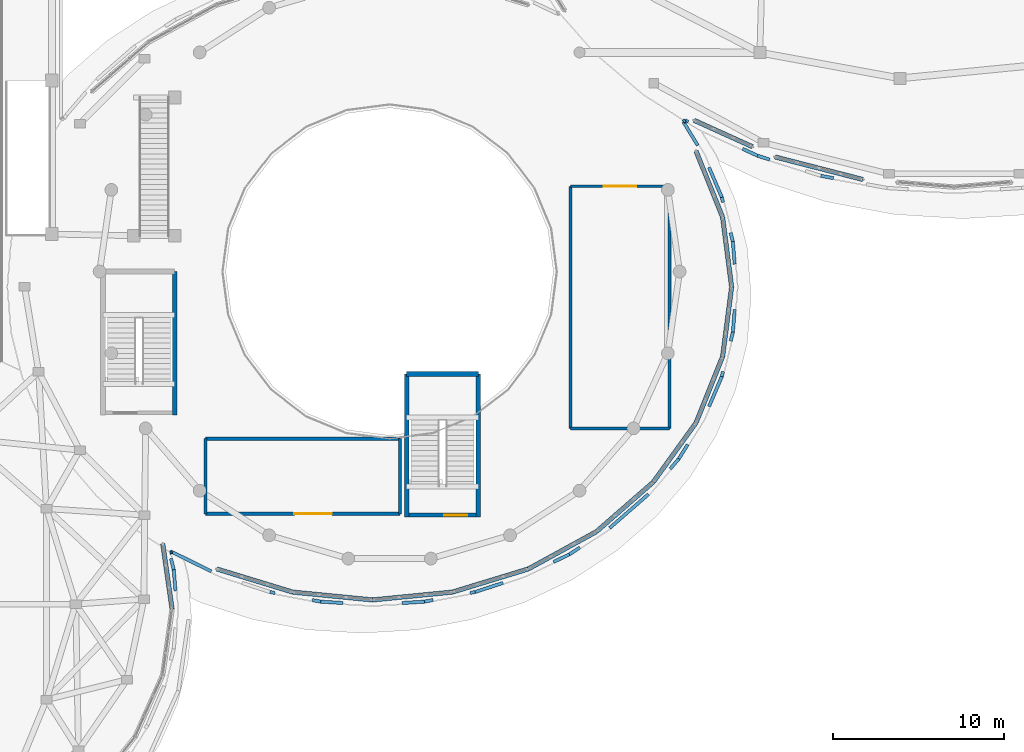
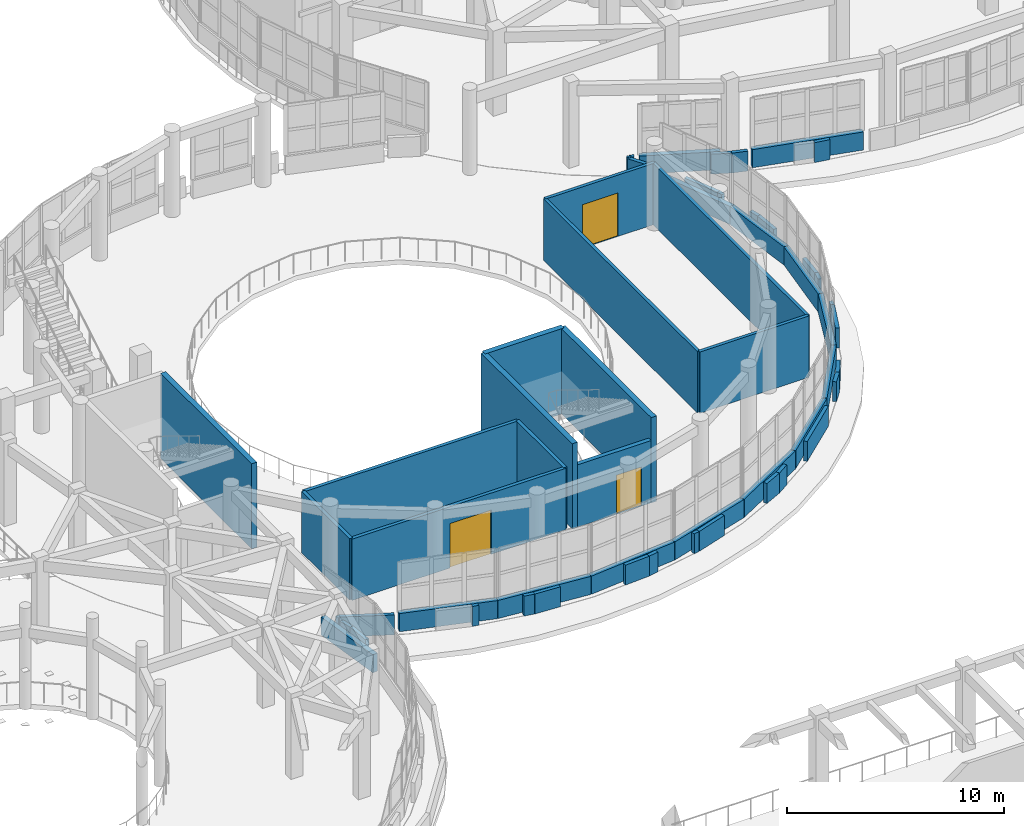
# One storey, part 73 of 98: 57 walls, 3 doors, 3 openings.
"""IFC4 building model written with IfcOpenShell, lengths in metres."""

from ifc_helpers import new_model, si_unit, direction, frame, frame_2d, origin, place, context, subcontext, project, spatial, rectangle, extrude, material, layer, layer_set, type_object, element, fill, save


model = new_model("IFC4")

# Units and contexts
model_context = context("Model", 3, precision=1e-05, world=origin(), true_north=direction((0.0, 1.0)))
body_context = subcontext(model_context, "Body", "Model", "MODEL_VIEW")
ifc_project = project(units=[si_unit("LENGTHUNIT", "METRE"), si_unit("AREAUNIT", "SQUARE_METRE"), si_unit("VOLUMEUNIT", "CUBIC_METRE"), si_unit("PLANEANGLEUNIT", "RADIAN"), si_unit("MASSUNIT", "GRAM", prefix="KILO")], contexts=[model_context])

# Site, building, storey
site_placement = place(None, origin())
site = spatial("IfcSite", under=ifc_project, at=site_placement, CompositionType="ELEMENT")
building_placement = place(site_placement, origin())
building = spatial("IfcBuilding", under=site, at=building_placement, Name="Pelvatis Terrace Science Centre", CompositionType="ELEMENT")
storey_placement = place(building_placement, frame((0.0, 0.0, 5.39990234375)))
storey = spatial("IfcBuildingStorey", under=building, at=storey_placement, Name="L01", CompositionType="ELEMENT", Elevation=5.39990234375)

# Walls
ifc_material_1 = material(Name="White architectural precast concrete C40/50 spandrel", Category="concrete")
ifc_layer_1 = layer(ifc_material_1, 0.260009765625)
ifc_layer_set_1 = layer_set([ifc_layer_1], Name="White architectural precast concrete C40/50 spandrel")
wall_type_1 = type_object("IfcWallType", Name="WL-EXT-SPND-260", PredefinedType="SOLIDWALL", material=ifc_layer_set_1)
wall_1_placement = place(storey_placement, frame((65.25, 34.800048828125, 0.0), z_axis=(0.0, 0.0, 1.0), x_axis=(-0.141139449152, 0.989989725145, 0.0)))
element("IfcWall", 1, at=wall_1_placement, inside=storey, type_object=wall_type_1, Name="V3 white spiral spandrel band 01 (L01)", PredefinedType="SOLIDWALL", context=body_context, shape_type="SweptSolid", body=[
    extrude(rectangle(XDim=3.8798828125, YDim=0.260009765625, at=frame_2d((1.93994140625, 0.0))), origin(), (0.0, 0.0, 1.0), 1.02001953125),
])
wall_2_placement = place(storey_placement, frame((98.050048828125, 53.699951171875, 0.0), z_axis=(0.0, 0.0, 1.0), x_axis=(-0.128200876257, 0.991748221741, 0.0)))
element("IfcWall", 2, at=wall_2_placement, inside=storey, type_object=wall_type_1, Name="V2 white spiral spandrel band 01 (L01)", PredefinedType="SOLIDWALL", context=body_context, shape_type="SweptSolid", body=[
    extrude(rectangle(XDim=4.1171875, YDim=0.260009765625, at=frame_2d((2.05859375, 0.0))), origin(), (0.0, 0.0, 1.0), 1.02001953125),
])
wall_3_placement = place(storey_placement, frame((97.522216796875, 57.783203125, 0.0), z_axis=(0.0, 0.0, 1.0), x_axis=(-0.372508337029, 0.928028845912, 0.0)))
element("IfcWall", 3, at=wall_3_placement, inside=storey, type_object=wall_type_1, Name="V2 white spiral spandrel band 02 (L01)", PredefinedType="SOLIDWALL", context=body_context, shape_type="SweptSolid", body=[
    extrude(rectangle(XDim=4.179443359375, YDim=0.260009765625, at=frame_2d((2.08984375, 0.0))), origin(), (0.0, 0.0, 1.0), 1.02001953125),
])
wall_4_placement = place(storey_placement, frame((67.86669921875, 37.167236328125, 0.0), z_axis=(0.0, 0.0, 1.0), x_axis=(0.956489991881, -0.291765137449, 0.0)))
element("IfcWall", 4, at=wall_4_placement, inside=storey, type_object=wall_type_1, Name="V2 white spiral spandrel band 20 (L01)", PredefinedType="SOLIDWALL", context=body_context, shape_type="SweptSolid", body=[
    extrude(rectangle(XDim=4.651611328125, YDim=0.260009765625, at=frame_2d((2.32568359375, 0.0))), origin(), (0.0, 0.0, 1.0), 1.02001953125),
])
for number, where, z_axis, x_axis, name in (
    (5, (72.31591796875, 35.81005859375, 0.0), (0.0, 0.0, 1.0), (0.99521330308, -0.097726564318, 0.0), "V2 white spiral spandrel band 21 (L01)"),
    (6, (77.0, 35.35009765625, 0.0), (0.0, 0.0, 1.0), (0.99521330308, 0.097726564318, 0.0), "V2 white spiral spandrel band 22 (L01)"),
):
    element("IfcWall", number, at=place(storey_placement, frame(where, z_axis=z_axis, x_axis=x_axis)), inside=storey, type_object=wall_type_1, Name=name, PredefinedType="SOLIDWALL", context=body_context, shape_type="SweptSolid", body=[
        extrude(rectangle(XDim=4.70654296875, YDim=0.260009765625, at=frame_2d((2.353271484375, 0.0))), origin(), (0.0, 0.0, 1.0), 1.02001953125),
    ])
wall_5_placement = place(storey_placement, frame((81.68408203125, 35.81005859375, 0.0), z_axis=(0.0, 0.0, 1.0), x_axis=(0.956489991881, 0.291765137449, 0.0)))
element("IfcWall", 7, at=wall_5_placement, inside=storey, type_object=wall_type_1, Name="V2 white spiral spandrel band 23 (L01)", PredefinedType="SOLIDWALL", context=body_context, shape_type="SweptSolid", body=[
    extrude(rectangle(XDim=4.651611328125, YDim=0.260009765625, at=frame_2d((2.32568359375, 0.0))), origin(), (0.0, 0.0, 1.0), 1.02001953125),
])
wall_6_placement = place(storey_placement, frame((86.13330078125, 37.167236328125, 0.0), z_axis=(0.0, 0.0, 1.0), x_axis=(0.877039221063, 0.480418780562, 0.0)))
element("IfcWall", 8, at=wall_6_placement, inside=storey, type_object=wall_type_1, Name="V2 white spiral spandrel band 24 (L01)", PredefinedType="SOLIDWALL", context=body_context, shape_type="SweptSolid", body=[
    extrude(rectangle(XDim=4.55078125, YDim=0.260009765625, at=frame_2d((2.275390625, 0.0))), origin(), (0.0, 0.0, 1.0), 1.02001953125),
])
wall_7_placement = place(storey_placement, frame((90.12451171875, 39.353515625, 0.0), z_axis=(0.0, 0.0, 1.0), x_axis=(0.75379306643, 0.657111872516, 0.0)))
element("IfcWall", 9, at=wall_7_placement, inside=storey, type_object=wall_type_1, Name="V2 white spiral spandrel band 25 (L01)", PredefinedType="SOLIDWALL", context=body_context, shape_type="SweptSolid", body=[
    extrude(rectangle(XDim=4.421630859375, YDim=0.260009765625, at=frame_2d((2.2109375, 0.0))), origin(), (0.0, 0.0, 1.0), 1.02001953125),
])
wall_8_placement = place(storey_placement, frame((93.45751953125, 42.259033203125, 0.0), z_axis=(0.0, 0.0, 1.0), x_axis=(0.584727530692, 0.811229754663, 0.0)))
element("IfcWall", 10, at=wall_8_placement, inside=storey, type_object=wall_type_1, Name="V2 white spiral spandrel band 26 (L01)", PredefinedType="SOLIDWALL", context=body_context, shape_type="SweptSolid", body=[
    extrude(rectangle(XDim=4.288818359375, YDim=0.260009765625, at=frame_2d((2.14453125, 0.0))), origin(), (0.0, 0.0, 1.0), 1.02001953125),
])
wall_9_placement = place(storey_placement, frame((95.96533203125, 45.73828125, 0.0), z_axis=(0.0, 0.0, 1.0), x_axis=(0.372528531789, 0.928020739533, 0.0)))
element("IfcWall", 11, at=wall_9_placement, inside=storey, type_object=wall_type_1, Name="V2 white spiral spandrel band 27 (L01)", PredefinedType="SOLIDWALL", context=body_context, shape_type="SweptSolid", body=[
    extrude(rectangle(XDim=4.17919921875, YDim=0.260009765625, at=frame_2d((2.089599609375, 0.0))), origin(), (0.0, 0.0, 1.0), 1.02001953125),
])
wall_10_placement = place(storey_placement, frame((97.522216796875, 49.61669921875, 0.0), z_axis=(0.0, 0.0, 1.0), x_axis=(0.128200876257, 0.991748221741, 0.0)))
element("IfcWall", 12, at=wall_10_placement, inside=storey, type_object=wall_type_1, Name="V2 white spiral spandrel band 28 (L01)", PredefinedType="SOLIDWALL", context=body_context, shape_type="SweptSolid", body=[
    extrude(rectangle(XDim=4.1171875, YDim=0.260009765625, at=frame_2d((2.05859375, 0.0))), origin(), (0.0, 0.0, 1.0), 1.02001953125),
])
wall_11_placement = place(storey_placement, frame((95.849609375, 63.46826171875, 0.0), z_axis=(0.0, 0.0, 1.0), x_axis=(0.910988741799, -0.412431221314, 0.0)))
element("IfcWall", 13, at=wall_11_placement, inside=storey, type_object=wall_type_1, Name="V1 white spiral spandrel band 22 (L01)", PredefinedType="SOLIDWALL", context=body_context, shape_type="SweptSolid", body=[
    extrude(rectangle(XDim=3.755859375, YDim=0.260009765625, at=frame_2d((1.8779296875, 0.0))), origin(), (0.0, 0.0, 1.0), 1.02001953125),
])
wall_12_placement = place(storey_placement, frame((100.59521484375, 61.31982421875, 0.0), z_axis=(0.0, 0.0, 1.0), x_axis=(0.968536268756, -0.248872449469, 0.0)))
element("IfcWall", 14, at=wall_12_placement, inside=storey, type_object=wall_type_1, Name="V1 white spiral spandrel band 23 (L01)", PredefinedType="SOLIDWALL", context=body_context, shape_type="SweptSolid", body=[
    extrude(rectangle(XDim=5.31689453125, YDim=0.260009765625, at=frame_2d((2.658447265625, 0.0))), origin(), (0.0, 0.0, 1.0), 1.02001953125),
])

# Wall, opening, door
ifc_material_2 = material(Name="Concrete C35/45 stair enclosure wall", Category="concrete")
ifc_layer_2 = layer(ifc_material_2, 0.22509765625)
ifc_layer_set_2 = layer_set([ifc_layer_2], Name="Concrete C35/45 stair enclosure wall")
wall_type_2 = type_object("IfcWallType", Name="WL-INT-CORE-225", PredefinedType="PARTITIONING", material=ifc_layer_set_2)
wall_13_placement = place(storey_placement, frame((79.139892578125, 40.320068359375, 0.0), z_axis=(0.0, 0.0, 1.0), x_axis=(1.0, 0.0, 0.0)))
wall_13 = element("IfcWall", 15, at=wall_13_placement, inside=storey, type_object=wall_type_2, Name="Stair ST-06 shaft wall S (L01)", PredefinedType="PARTITIONING", context=body_context, shape_type="SweptSolid", body=[
    extrude(rectangle(XDim=3.920166015625, YDim=0.22509765625, at=frame_2d((1.9599609375, 0.0))), origin(), (0.0, 0.0, 1.0), 3.510009765625),
])
opening_1_placement = place(wall_13_placement, frame((2.070068359375, 0.0, 0.0)))
opening_1 = element("IfcOpeningElement", 16, at=opening_1_placement, cuts=wall_13, Name="Opening D-155", PredefinedType="OPENING", context=body_context, shape_type="SweptSolid", body=[
    extrude(rectangle(XDim=1.35009765625, YDim=2.199951171875, at=frame_2d((0.675048828125, 1.10009765625))), frame((0.0, 0.12255859375, 0.0), z_axis=(0.0, -1.0, 0.0), x_axis=(1.0, 0.0, 0.0)), (0.0, 0.0, 1.0), 0.2451171875),
])
ifc_material_3 = material(Name="Steel fire-rated protected stair door", Category="steel")
door_type_1 = type_object("IfcDoorType", Name="DR-STAIR-1350x2200", OperationType="NOTDEFINED", PredefinedType="DOOR", material=ifc_material_3)
door_1_placement = place(opening_1_placement, origin())
door_1 = element("IfcDoor", 17, at=door_1_placement, inside=storey, type_object=door_type_1, Name="Stair ST-06 fire door (L01)", OperationType="SINGLE_SWING_RIGHT", OverallHeight=2.199951171875, OverallWidth=1.35009765625, PredefinedType="DOOR", context=body_context, shape_type="SweptSolid", body=[
    extrude(rectangle(XDim=1.35009765625, YDim=2.199951171875, at=frame_2d((0.675048828125, 1.10009765625))), frame((0.0, 0.02490234375, 0.0), z_axis=(0.0, -1.0, 0.0), x_axis=(1.0, 0.0, 0.0)), (0.0, 0.0, 1.0), 0.050048828125),
])
fill(opening_1, door_1)

# Walls
ifc_material_4 = material(Name="Gallery acoustic wall", Category="masonry")
ifc_layer_3 = layer(ifc_material_4, 0.169921875)
ifc_layer_set_3 = layer_set([ifc_layer_3], Name="Gallery acoustic wall")
wall_type_3 = type_object("IfcWallType", Name="WL-INT-GAL-170", PredefinedType="PARTITIONING", material=ifc_layer_set_3)
wall_14_placement = place(storey_placement, frame((88.60009765625, 45.39990234375, 0.0), z_axis=(0.0, 0.0, 1.0), x_axis=(1.0, 0.0, 0.0)))
element("IfcWall", 18, at=wall_14_placement, inside=storey, type_object=wall_type_3, Name="South Atlantic Coastal Ecology Gallery partition wall S", PredefinedType="PARTITIONING", context=body_context, shape_type="SweptSolid", body=[
    extrude(rectangle(XDim=5.7998046875, YDim=0.169921875, at=frame_2d((2.89990234375, 0.0))), origin(), (0.0, 0.0, 1.0), 3.4501953125),
])
wall_15_placement = place(storey_placement, frame((94.39990234375, 45.39990234375, 0.0), z_axis=(0.0, 0.0, 1.0), x_axis=(0.0, 1.0, 0.0)))
element("IfcWall", 19, at=wall_15_placement, inside=storey, type_object=wall_type_3, Name="South Atlantic Coastal Ecology Gallery partition wall E", PredefinedType="PARTITIONING", context=body_context, shape_type="SweptSolid", body=[
    extrude(rectangle(XDim=14.2001953125, YDim=0.169921875, at=frame_2d((7.10009765625, 0.0))), origin(), (0.0, 0.0, 1.0), 3.4501953125),
])

# Wall, opening, door
wall_16_placement = place(storey_placement, frame((94.39990234375, 59.60009765625, 0.0), z_axis=(0.0, 0.0, 1.0), x_axis=(-1.0, 0.0, 0.0)))
wall_16 = element("IfcWall", 20, at=wall_16_placement, inside=storey, type_object=wall_type_3, Name="South Atlantic Coastal Ecology Gallery partition wall N", PredefinedType="PARTITIONING", context=body_context, shape_type="SweptSolid", body=[
    extrude(rectangle(XDim=5.7998046875, YDim=0.169921875, at=frame_2d((2.89990234375, 0.0))), origin(), (0.0, 0.0, 1.0), 3.4501953125),
])
opening_2_placement = place(wall_16_placement, frame((1.949951171875, 0.0, 0.0)))
opening_2 = element("IfcOpeningElement", 21, at=opening_2_placement, cuts=wall_16, Name="Opening D-192", PredefinedType="OPENING", context=body_context, shape_type="SweptSolid", body=[
    extrude(rectangle(XDim=1.89990234375, YDim=2.449951171875, at=frame_2d((0.949951171875, 1.22509765625))), frame((0.0, 0.094970703125, 0.0), z_axis=(0.0, -1.0, 0.0), x_axis=(1.0, 0.0, 0.0)), (0.0, 0.0, 1.0), 0.18994140625),
])
ifc_material_5 = material(Name="Acoustic glazed gallery double door", Category="glass")
door_type_2 = type_object("IfcDoorType", Name="DR-GAL-1900x2450", OperationType="NOTDEFINED", PredefinedType="DOOR", material=ifc_material_5)
door_2_placement = place(opening_2_placement, origin())
door_2 = element("IfcDoor", 22, at=door_2_placement, inside=storey, type_object=door_type_2, Name="South Atlantic Coastal Ecology Gallery entrance door", OperationType="DOUBLE_DOOR_SINGLE_SWING", OverallHeight=2.449951171875, OverallWidth=1.89990234375, PredefinedType="DOOR", context=body_context, shape_type="SweptSolid", body=[
    extrude(rectangle(XDim=1.89990234375, YDim=2.449951171875, at=frame_2d((0.949951171875, 1.22509765625))), frame((0.0, 0.02490234375, 0.0), z_axis=(0.0, -1.0, 0.0), x_axis=(1.0, 0.0, 0.0)), (0.0, 0.0, 1.0), 0.050048828125),
])
fill(opening_2, door_2)

# Wall
wall_17_placement = place(storey_placement, frame((88.60009765625, 59.60009765625, 0.0), z_axis=(0.0, 0.0, 1.0), x_axis=(0.0, -1.0, 0.0)))
element("IfcWall", 23, at=wall_17_placement, inside=storey, type_object=wall_type_3, Name="South Atlantic Coastal Ecology Gallery partition wall W", PredefinedType="PARTITIONING", context=body_context, shape_type="SweptSolid", body=[
    extrude(rectangle(XDim=14.2001953125, YDim=0.169921875, at=frame_2d((7.10009765625, 0.0))), origin(), (0.0, 0.0, 1.0), 3.4501953125),
])

# Wall, opening, door
ifc_material_6 = material(Name="Gallery display masonry liner", Category="masonry")
ifc_layer_4 = layer(ifc_material_6, 0.181884765625)
ifc_layer_set_4 = layer_set([ifc_layer_4], Name="Gallery display masonry liner")
wall_type_4 = type_object("IfcWallType", Name="WL-INT-GAL-182", PredefinedType="PARTITIONING", material=ifc_layer_set_4)
wall_18_placement = place(storey_placement, frame((67.199951171875, 40.39990234375, 0.0), z_axis=(0.0, 0.0, 1.0), x_axis=(1.0, 0.0, 0.0)))
wall_18 = element("IfcWall", 24, at=wall_18_placement, inside=storey, type_object=wall_type_4, Name="Earth Systems, Geology and Ocean Currents Exhibition Hall partition wall S", PredefinedType="PARTITIONING", context=body_context, shape_type="SweptSolid", body=[
    extrude(rectangle(XDim=11.400146484375, YDim=0.181884765625, at=frame_2d((5.7001953125, 0.0))), origin(), (0.0, 0.0, 1.0), 3.4501953125),
])
opening_3_placement = place(wall_18_placement, frame((5.215087890625, 0.0, 0.0)))
opening_3 = element("IfcOpeningElement", 25, at=opening_3_placement, cuts=wall_18, Name="Opening D-191", PredefinedType="OPENING", context=body_context, shape_type="SweptSolid", body=[
    extrude(rectangle(XDim=2.199951171875, YDim=2.5, at=frame_2d((1.10009765625, 1.25))), frame((0.0, 0.100830078125, 0.0), z_axis=(0.0, -1.0, 0.0), x_axis=(1.0, 0.0, 0.0)), (0.0, 0.0, 1.0), 0.201904296875),
])
ifc_material_7 = material(Name="Acoustic bronze-and-glass exhibition hall double door", Category="glass")
door_type_3 = type_object("IfcDoorType", Name="DR-GAL-2200x2500", OperationType="NOTDEFINED", PredefinedType="DOOR", material=ifc_material_7)
door_3_placement = place(opening_3_placement, origin())
door_3 = element("IfcDoor", 26, at=door_3_placement, inside=storey, type_object=door_type_3, Name="Earth Systems, Geology and Ocean Currents Exhibition Hall entrance door", OperationType="DOUBLE_DOOR_SINGLE_SWING", OverallHeight=2.5, OverallWidth=2.199951171875, PredefinedType="DOOR", context=body_context, shape_type="SweptSolid", body=[
    extrude(rectangle(XDim=2.199951171875, YDim=2.5, at=frame_2d((1.10009765625, 1.25))), frame((0.0, 0.02490234375, 0.0), z_axis=(0.0, -1.0, 0.0), x_axis=(1.0, 0.0, 0.0)), (0.0, 0.0, 1.0), 0.050048828125),
])
fill(opening_3, door_3)

# Walls
wall_19_placement = place(storey_placement, frame((78.60009765625, 40.39990234375, 0.0), z_axis=(0.0, 0.0, 1.0), x_axis=(0.0, 1.0, 0.0)))
element("IfcWall", 27, at=wall_19_placement, inside=storey, type_object=wall_type_4, Name="Earth Systems, Geology and Ocean Currents Exhibition Hall partition wall E", PredefinedType="PARTITIONING", context=body_context, shape_type="SweptSolid", body=[
    extrude(rectangle(XDim=4.400146484375, YDim=0.181884765625, at=frame_2d((2.2001953125, 0.0))), origin(), (0.0, 0.0, 1.0), 3.4501953125),
])
wall_20_placement = place(storey_placement, frame((78.60009765625, 44.800048828125, 0.0), z_axis=(0.0, 0.0, 1.0), x_axis=(-1.0, 0.0, 0.0)))
element("IfcWall", 28, at=wall_20_placement, inside=storey, type_object=wall_type_4, Name="Earth Systems, Geology and Ocean Currents Exhibition Hall partition wall N", PredefinedType="PARTITIONING", context=body_context, shape_type="SweptSolid", body=[
    extrude(rectangle(XDim=11.400146484375, YDim=0.181884765625, at=frame_2d((5.7001953125, 0.0))), origin(), (0.0, 0.0, 1.0), 3.4501953125),
])
wall_21_placement = place(storey_placement, frame((67.199951171875, 44.800048828125, 0.0), z_axis=(0.0, 0.0, 1.0), x_axis=(0.0, -1.0, 0.0)))
element("IfcWall", 29, at=wall_21_placement, inside=storey, type_object=wall_type_4, Name="Earth Systems, Geology and Ocean Currents Exhibition Hall partition wall W", PredefinedType="PARTITIONING", context=body_context, shape_type="SweptSolid", body=[
    extrude(rectangle(XDim=4.400146484375, YDim=0.181884765625, at=frame_2d((2.2001953125, 0.0))), origin(), (0.0, 0.0, 1.0), 3.4501953125),
])
ifc_material_8 = material(Name="White architectural precast concrete C40/50 spandrel parapet", Category="concrete")
ifc_layer_5 = layer(ifc_material_8, 0.18994140625)
ifc_layer_set_5 = layer_set([ifc_layer_5], Name="White architectural precast concrete C40/50 spandrel parapet")
wall_type_5 = type_object("IfcWallType", Name="WL-PAR-190", PredefinedType="PARAPET", material=ifc_layer_set_5)
wall_22_placement = place(storey_placement, frame((104.025634765625, 60.0771484375, 0.0), z_axis=(0.0, 0.0, 1.0), x_axis=(-0.983380405717, 0.181557091989, 0.0)))
element("IfcWall", 30, at=wall_22_placement, inside=storey, type_object=wall_type_5, Name="Perimeter edge closure parapet PW-EDG-L01-164", PredefinedType="PARAPET", context=body_context, shape_type="SweptSolid", body=[
    extrude(rectangle(XDim=0.755615234375, YDim=0.18994140625, at=frame_2d((0.3779296875, 0.0))), origin(), (0.0, 0.0, 1.0), 1.1201171875),
])
wall_23_placement = place(storey_placement, frame((100.281982421875, 61.164306640625, 0.0), z_axis=(0.0, 0.0, 1.0), x_axis=(-0.953369001668, 0.301807134872, 0.0)))
element("IfcWall", 31, at=wall_23_placement, inside=storey, type_object=wall_type_5, Name="Perimeter edge closure parapet PW-EDG-L01-166", PredefinedType="PARAPET", context=body_context, shape_type="SweptSolid", body=[
    extrude(rectangle(XDim=0.743408203125, YDim=0.18994140625, at=frame_2d((0.37158203125, 0.0))), origin(), (0.0, 0.0, 1.0), 1.1201171875),
])
wall_24_placement = place(storey_placement, frame((99.5732421875, 61.388671875, 0.0), z_axis=(0.0, 0.0, 1.0), x_axis=(-0.907268626337, 0.420551589777, 0.0)))
element("IfcWall", 32, at=wall_24_placement, inside=storey, type_object=wall_type_5, Name="Perimeter edge closure parapet PW-EDG-L01-167", PredefinedType="PARAPET", context=body_context, shape_type="SweptSolid", body=[
    extrude(rectangle(XDim=0.97412109375, YDim=0.18994140625, at=frame_2d((0.487060546875, 0.0))), origin(), (0.0, 0.0, 1.0), 1.1201171875),
])
wall_25_placement = place(storey_placement, frame((95.513671875, 63.37109375, 0.0), z_axis=(0.0, 0.0, 1.0), x_axis=(-0.880327021675, 0.474367299578, 0.0)))
element("IfcWall", 33, at=wall_25_placement, inside=storey, type_object=wall_type_5, Name="Perimeter edge closure parapet PW-EDG-L01-168", PredefinedType="PARAPET", context=body_context, shape_type="SweptSolid", body=[
    extrude(rectangle(XDim=0.2177734375, YDim=0.18994140625, at=frame_2d((0.10888671875, 0.0))), origin(), (0.0, 0.0, 1.0), 1.1201171875),
])
wall_26_placement = place(storey_placement, frame((95.322021484375, 63.474365234375, 0.0), z_axis=(0.0, 0.0, 1.0), x_axis=(-0.710572928176, -0.703623559685, 0.0)))
element("IfcWall", 34, at=wall_26_placement, inside=storey, type_object=wall_type_5, Name="Perimeter edge closure parapet PW-EDG-L01-169", PredefinedType="PARAPET", context=body_context, shape_type="SweptSolid", body=[
    extrude(rectangle(XDim=0.140625, YDim=0.18994140625, at=frame_2d((0.0703125, 0.0))), origin(), (0.0, 0.0, 1.0), 1.1201171875),
])
wall_27_placement = place(storey_placement, frame((95.22216796875, 63.37548828125, 0.0), z_axis=(0.0, 0.0, 1.0), x_axis=(0.521633367431, -0.853169754494, 0.0)))
element("IfcWall", 35, at=wall_27_placement, inside=storey, type_object=wall_type_5, Name="Perimeter edge closure parapet PW-EDG-L01-170", PredefinedType="PARAPET", context=body_context, shape_type="SweptSolid", body=[
    extrude(rectangle(XDim=1.61572265625, YDim=0.18994140625, at=frame_2d((0.807861328125, 0.0))), origin(), (0.0, 0.0, 1.0), 1.1201171875),
])
wall_28_placement = place(storey_placement, frame((96.7255859375, 60.707275390625, 0.0), z_axis=(0.0, 0.0, 1.0), x_axis=(0.392608676014, -0.919705620032, 0.0)))
element("IfcWall", 36, at=wall_28_placement, inside=storey, type_object=wall_type_5, Name="Perimeter edge closure parapet PW-EDG-L01-171", PredefinedType="PARAPET", context=body_context, shape_type="SweptSolid", body=[
    extrude(rectangle(XDim=1.91162109375, YDim=0.18994140625, at=frame_2d((0.955810546875, 0.0))), origin(), (0.0, 0.0, 1.0), 1.1201171875),
])
wall_29_placement = place(storey_placement, frame((97.47607421875, 58.94921875, 0.0), z_axis=(0.0, 0.0, 1.0), x_axis=(0.241584948126, -0.97037967458, 0.0)))
element("IfcWall", 37, at=wall_29_placement, inside=storey, type_object=wall_type_5, Name="Perimeter edge closure parapet PW-EDG-L01-172", PredefinedType="PARAPET", context=body_context, shape_type="SweptSolid", body=[
    extrude(rectangle(XDim=0.30224609375, YDim=0.18994140625, at=frame_2d((0.151123046875, 0.0))), origin(), (0.0, 0.0, 1.0), 1.1201171875),
])
wall_30_placement = place(storey_placement, frame((97.99267578125, 56.87451171875, 0.0), z_axis=(0.0, 0.0, 1.0), x_axis=(0.241469505752, -0.970408407729, 0.0)))
element("IfcWall", 38, at=wall_30_placement, inside=storey, type_object=wall_type_5, Name="Perimeter edge closure parapet PW-EDG-L01-173", PredefinedType="PARAPET", context=body_context, shape_type="SweptSolid", body=[
    extrude(rectangle(XDim=0.538818359375, YDim=0.18994140625, at=frame_2d((0.26953125, 0.0))), origin(), (0.0, 0.0, 1.0), 1.1201171875),
])
wall_31_placement = place(storey_placement, frame((98.122802734375, 56.3515625, 0.0), z_axis=(0.0, 0.0, 1.0), x_axis=(0.081627228303, -0.996662929781, 0.0)))
element("IfcWall", 39, at=wall_31_placement, inside=storey, type_object=wall_type_5, Name="Perimeter edge closure parapet PW-EDG-L01-174", PredefinedType="PARAPET", context=body_context, shape_type="SweptSolid", body=[
    extrude(rectangle(XDim=1.324951171875, YDim=0.18994140625, at=frame_2d((0.66259765625, 0.0))), origin(), (0.0, 0.0, 1.0), 1.1201171875),
])
wall_32_placement = place(storey_placement, frame((98.23095703125, 52.368896484375, 0.0), z_axis=(0.0, 0.0, 1.0), x_axis=(-0.081642221498, -0.996661701717, 0.0)))
element("IfcWall", 40, at=wall_32_placement, inside=storey, type_object=wall_type_5, Name="Perimeter edge closure parapet PW-EDG-L01-175", PredefinedType="PARAPET", context=body_context, shape_type="SweptSolid", body=[
    extrude(rectangle(XDim=1.32470703125, YDim=0.18994140625, at=frame_2d((0.662353515625, 0.0))), origin(), (0.0, 0.0, 1.0), 1.1201171875),
])
wall_33_placement = place(storey_placement, frame((98.122802734375, 51.048583984375, 0.0), z_axis=(0.0, 0.0, 1.0), x_axis=(-0.241363393154, -0.970434805871, 0.0)))
element("IfcWall", 41, at=wall_33_placement, inside=storey, type_object=wall_type_5, Name="Perimeter edge closure parapet PW-EDG-L01-176", PredefinedType="PARAPET", context=body_context, shape_type="SweptSolid", body=[
    extrude(rectangle(XDim=0.5390625, YDim=0.18994140625, at=frame_2d((0.26953125, 0.0))), origin(), (0.0, 0.0, 1.0), 1.1201171875),
])
wall_34_placement = place(storey_placement, frame((97.549072265625, 48.743896484375, 0.0), z_axis=(0.0, 0.0, 1.0), x_axis=(-0.241584948126, -0.97037967458, 0.0)))
element("IfcWall", 42, at=wall_34_placement, inside=storey, type_object=wall_type_5, Name="Perimeter edge closure parapet PW-EDG-L01-177", PredefinedType="PARAPET", context=body_context, shape_type="SweptSolid", body=[
    extrude(rectangle(XDim=0.30224609375, YDim=0.18994140625, at=frame_2d((0.151123046875, 0.0))), origin(), (0.0, 0.0, 1.0), 1.1201171875),
])
wall_35_placement = place(storey_placement, frame((97.47607421875, 48.45068359375, 0.0), z_axis=(0.0, 0.0, 1.0), x_axis=(-0.392608676014, -0.919705620032, 0.0)))
element("IfcWall", 43, at=wall_35_placement, inside=storey, type_object=wall_type_5, Name="Perimeter edge closure parapet PW-EDG-L01-178", PredefinedType="PARAPET", context=body_context, shape_type="SweptSolid", body=[
    extrude(rectangle(XDim=1.91162109375, YDim=0.18994140625, at=frame_2d((0.955810546875, 0.0))), origin(), (0.0, 0.0, 1.0), 1.1201171875),
])
wall_36_placement = place(storey_placement, frame((95.476806640625, 44.4619140625, 0.0), z_axis=(0.0, 0.0, 1.0), x_axis=(-0.529776396754, -0.848137352934, 0.0)))
element("IfcWall", 44, at=wall_36_placement, inside=storey, type_object=wall_type_5, Name="Perimeter edge closure parapet PW-EDG-L01-179", PredefinedType="PARAPET", context=body_context, shape_type="SweptSolid", body=[
    extrude(rectangle(XDim=0.986083984375, YDim=0.18994140625, at=frame_2d((0.4931640625, 0.0))), origin(), (0.0, 0.0, 1.0), 1.1201171875),
])
wall_37_placement = place(storey_placement, frame((94.954345703125, 43.62548828125, 0.0), z_axis=(0.0, 0.0, 1.0), x_axis=(-0.650661996725, -0.759367477588, 0.0)))
element("IfcWall", 45, at=wall_37_placement, inside=storey, type_object=wall_type_5, Name="Perimeter edge closure parapet PW-EDG-L01-180", PredefinedType="PARAPET", context=body_context, shape_type="SweptSolid", body=[
    extrude(rectangle(XDim=0.777099609375, YDim=0.18994140625, at=frame_2d((0.388671875, 0.0))), origin(), (0.0, 0.0, 1.0), 1.1201171875),
])
wall_38_placement = place(storey_placement, frame((93.173828125, 41.54736328125, 0.0), z_axis=(0.0, 0.0, 1.0), x_axis=(-0.75376246126, -0.65714697899, 0.0)))
element("IfcWall", 46, at=wall_38_placement, inside=storey, type_object=wall_type_5, Name="Perimeter edge closure parapet PW-EDG-L01-181", PredefinedType="PARAPET", context=body_context, shape_type="SweptSolid", body=[
    extrude(rectangle(XDim=3.019775390625, YDim=0.18994140625, at=frame_2d((1.509765625, 0.0))), origin(), (0.0, 0.0, 1.0), 1.1201171875),
])
wall_39_placement = place(storey_placement, frame((89.15625, 38.423828125, 0.0), z_axis=(0.0, 0.0, 1.0), x_axis=(-0.836917016948, -0.547329797053, 0.0)))
element("IfcWall", 47, at=wall_39_placement, inside=storey, type_object=wall_type_5, Name="Perimeter edge closure parapet PW-EDG-L01-182", PredefinedType="PARAPET", context=body_context, shape_type="SweptSolid", body=[
    extrude(rectangle(XDim=0.736083984375, YDim=0.18994140625, at=frame_2d((0.3681640625, 0.0))), origin(), (0.0, 0.0, 1.0), 1.1201171875),
])
wall_40_placement = place(storey_placement, frame((88.540283203125, 38.02099609375, 0.0), z_axis=(0.0, 0.0, 1.0), x_axis=(-0.902535558063, -0.430615334646, 0.0)))
element("IfcWall", 48, at=wall_40_placement, inside=storey, type_object=wall_type_5, Name="Perimeter edge closure parapet PW-EDG-L01-183", PredefinedType="PARAPET", context=body_context, shape_type="SweptSolid", body=[
    extrude(rectangle(XDim=1.028564453125, YDim=0.18994140625, at=frame_2d((0.51416015625, 0.0))), origin(), (0.0, 0.0, 1.0), 1.1201171875),
])
wall_41_placement = place(storey_placement, frame((84.6474609375, 36.34814453125, 0.0), z_axis=(0.0, 0.0, 1.0), x_axis=(-0.95075169168, -0.309953578409, 0.0)))
element("IfcWall", 49, at=wall_41_placement, inside=storey, type_object=wall_type_5, Name="Perimeter edge closure parapet PW-EDG-L01-184", PredefinedType="PARAPET", context=body_context, shape_type="SweptSolid", body=[
    extrude(rectangle(XDim=1.718017578125, YDim=0.18994140625, at=frame_2d((0.85888671875, 0.0))), origin(), (0.0, 0.0, 1.0), 1.1201171875),
])
wall_42_placement = place(storey_placement, frame((83.01416015625, 35.815673828125, 0.0), z_axis=(0.0, 0.0, 1.0), x_axis=(-0.982458484281, -0.186481437854, 0.0)))
element("IfcWall", 50, at=wall_42_placement, inside=storey, type_object=wall_type_5, Name="Perimeter edge closure parapet PW-EDG-L01-185", PredefinedType="PARAPET", context=body_context, shape_type="SweptSolid", body=[
    extrude(rectangle(XDim=0.302490234375, YDim=0.18994140625, at=frame_2d((0.1513671875, 0.0))), origin(), (0.0, 0.0, 1.0), 1.1201171875),
])
wall_43_placement = place(storey_placement, frame((80.547119140625, 35.3466796875, 0.0), z_axis=(0.0, 0.0, 1.0), x_axis=(-0.982437410438, -0.186592429033, 0.0)))
element("IfcWall", 51, at=wall_43_placement, inside=storey, type_object=wall_type_5, Name="Perimeter edge closure parapet PW-EDG-L01-186", PredefinedType="PARAPET", context=body_context, shape_type="SweptSolid", body=[
    extrude(rectangle(XDim=0.51806640625, YDim=0.18994140625, at=frame_2d((0.259033203125, 0.0))), origin(), (0.0, 0.0, 1.0), 1.1201171875),
])
for number, where, z_axis, x_axis, name in (
    (52, (80.0380859375, 35.25, 0.0), (0.0, 0.0, 1.0), (-0.99805330281, -0.062366695848, 0.0), "Perimeter edge closure parapet PW-EDG-L01-187"),
    (53, (75.270751953125, 35.168212890625, 0.0), (0.0, 0.0, 1.0), (-0.99805330281, 0.062366695848, 0.0), "Perimeter edge closure parapet PW-EDG-L01-188"),
):
    element("IfcWall", number, at=place(storey_placement, frame(where, z_axis=z_axis, x_axis=x_axis)), inside=storey, type_object=wall_type_5, Name=name, PredefinedType="PARAPET", context=body_context, shape_type="SweptSolid", body=[
        extrude(rectangle(XDim=1.311279296875, YDim=0.18994140625, at=frame_2d((0.65576171875, 0.0))), origin(), (0.0, 0.0, 1.0), 1.1201171875),
    ])
wall_44_placement = place(storey_placement, frame((73.9619140625, 35.25, 0.0), z_axis=(0.0, 0.0, 1.0), x_axis=(-0.982437410438, 0.186592429033, 0.0)))
element("IfcWall", 54, at=wall_44_placement, inside=storey, type_object=wall_type_5, Name="Perimeter edge closure parapet PW-EDG-L01-189", PredefinedType="PARAPET", context=body_context, shape_type="SweptSolid", body=[
    extrude(rectangle(XDim=0.51806640625, YDim=0.18994140625, at=frame_2d((0.259033203125, 0.0))), origin(), (0.0, 0.0, 1.0), 1.1201171875),
])
wall_45_placement = place(storey_placement, frame((71.282958984375, 35.75927734375, 0.0), z_axis=(0.0, 0.0, 1.0), x_axis=(-0.982458484281, 0.186481437854, 0.0)))
element("IfcWall", 55, at=wall_45_placement, inside=storey, type_object=wall_type_5, Name="Perimeter edge closure parapet PW-EDG-L01-190", PredefinedType="PARAPET", context=body_context, shape_type="SweptSolid", body=[
    extrude(rectangle(XDim=0.302490234375, YDim=0.18994140625, at=frame_2d((0.1513671875, 0.0))), origin(), (0.0, 0.0, 1.0), 1.1201171875),
])
wall_46_placement = place(storey_placement, frame((67.54736328125, 37.02490234375, 0.0), z_axis=(0.0, 0.0, 1.0), x_axis=(-0.897021961884, 0.441985972512, 0.0)))
element("IfcWall", 56, at=wall_46_placement, inside=storey, type_object=wall_type_5, Name="Perimeter edge closure parapet PW-EDG-L01-192", PredefinedType="PARAPET", context=body_context, shape_type="SweptSolid", body=[
    extrude(rectangle(XDim=2.56298828125, YDim=0.18994140625, at=frame_2d((1.281494140625, 0.0))), origin(), (0.0, 0.0, 1.0), 1.1201171875),
])
wall_47_placement = place(storey_placement, frame((65.248291015625, 38.15771484375, 0.0), z_axis=(0.0, 0.0, 1.0), x_axis=(-0.967764525452, -0.251856751501, 0.0)))
element("IfcWall", 57, at=wall_47_placement, inside=storey, type_object=wall_type_5, Name="Perimeter edge closure parapet PW-EDG-L01-193", PredefinedType="PARAPET", context=body_context, shape_type="SweptSolid", body=[
    extrude(rectangle(XDim=0.123046875, YDim=0.18994140625, at=frame_2d((0.0615234375, 0.0))), origin(), (0.0, 0.0, 1.0), 1.1201171875),
])
wall_48_placement = place(storey_placement, frame((65.17919921875, 37.77587890625, 0.0), z_axis=(0.0, 0.0, 1.0), x_axis=(0.246803227861, -0.96906561528, 0.0)))
element("IfcWall", 58, at=wall_48_placement, inside=storey, type_object=wall_type_5, Name="Perimeter edge closure parapet PW-EDG-L01-194", PredefinedType="PARAPET", context=body_context, shape_type="SweptSolid", body=[
    extrude(rectangle(XDim=0.672607421875, YDim=0.18994140625, at=frame_2d((0.33642578125, 0.0))), origin(), (0.0, 0.0, 1.0), 1.1201171875),
])
wall_49_placement = place(storey_placement, frame((65.34521484375, 37.1240234375, 0.0), z_axis=(0.0, 0.0, 1.0), x_axis=(0.083499670504, -0.996507804799, 0.0)))
element("IfcWall", 59, at=wall_49_placement, inside=storey, type_object=wall_type_5, Name="Perimeter edge closure parapet PW-EDG-L01-195", PredefinedType="PARAPET", context=body_context, shape_type="SweptSolid", body=[
    extrude(rectangle(XDim=1.24560546875, YDim=0.18994140625, at=frame_2d((0.622802734375, 0.0))), origin(), (0.0, 0.0, 1.0), 1.1201171875),
])
ifc_material_9 = material(Name="Concrete C40/50", Category="concrete")
ifc_layer_6 = layer(ifc_material_9, 0.280029296875)
ifc_layer_set_6 = layer_set([ifc_layer_6], Name="Concrete C40/50")
wall_type_6 = type_object("IfcWallType", Name="WL-SHR-280", PredefinedType="SHEAR", material=ifc_layer_set_6)
wall_50_placement = place(storey_placement, frame((65.39990234375, 46.199951171875, 0.0), z_axis=(0.0, 0.0, 1.0), x_axis=(0.0, 1.0, 0.0)))
element("IfcWall", 60, at=wall_50_placement, inside=storey, type_object=wall_type_6, Name="Stair ST-05 structural wall E (L01)", PredefinedType="SHEAR", context=body_context, shape_type="SweptSolid", body=[
    extrude(rectangle(XDim=8.400146484375, YDim=0.280029296875, at=frame_2d((4.2001953125, 0.0))), origin(), (0.0, 0.0, 1.0), 4.800048828125),
])
wall_51_placement = place(storey_placement, frame((79.0, 48.60009765625, 0.0), z_axis=(0.0, 0.0, 1.0), x_axis=(1.0, 0.0, 0.0)))
element("IfcWall", 61, at=wall_51_placement, inside=storey, type_object=wall_type_6, Name="Stair ST-06 structural wall N (L01)", PredefinedType="SHEAR", context=body_context, shape_type="SweptSolid", body=[
    extrude(rectangle(XDim=4.199951171875, YDim=0.280029296875, at=frame_2d((2.10009765625, 0.0))), origin(), (0.0, 0.0, 1.0), 4.800048828125),
])
for number, where, z_axis, x_axis, name in (
    (62, (79.0, 40.199951171875, 0.0), (0.0, 0.0, 1.0), (0.0, 1.0, 0.0), "Stair ST-06 structural wall W (L01)"),
    (63, (83.199951171875, 40.199951171875, 0.0), (0.0, 0.0, 1.0), (0.0, 1.0, 0.0), "Stair ST-06 structural wall E (L01)"),
):
    element("IfcWall", number, at=place(storey_placement, frame(where, z_axis=z_axis, x_axis=x_axis)), inside=storey, type_object=wall_type_6, Name=name, PredefinedType="SHEAR", context=body_context, shape_type="SweptSolid", body=[
        extrude(rectangle(XDim=8.400146484375, YDim=0.280029296875, at=frame_2d((4.2001953125, 0.0))), origin(), (0.0, 0.0, 1.0), 4.800048828125),
    ])

save(model, "model.ifc")
